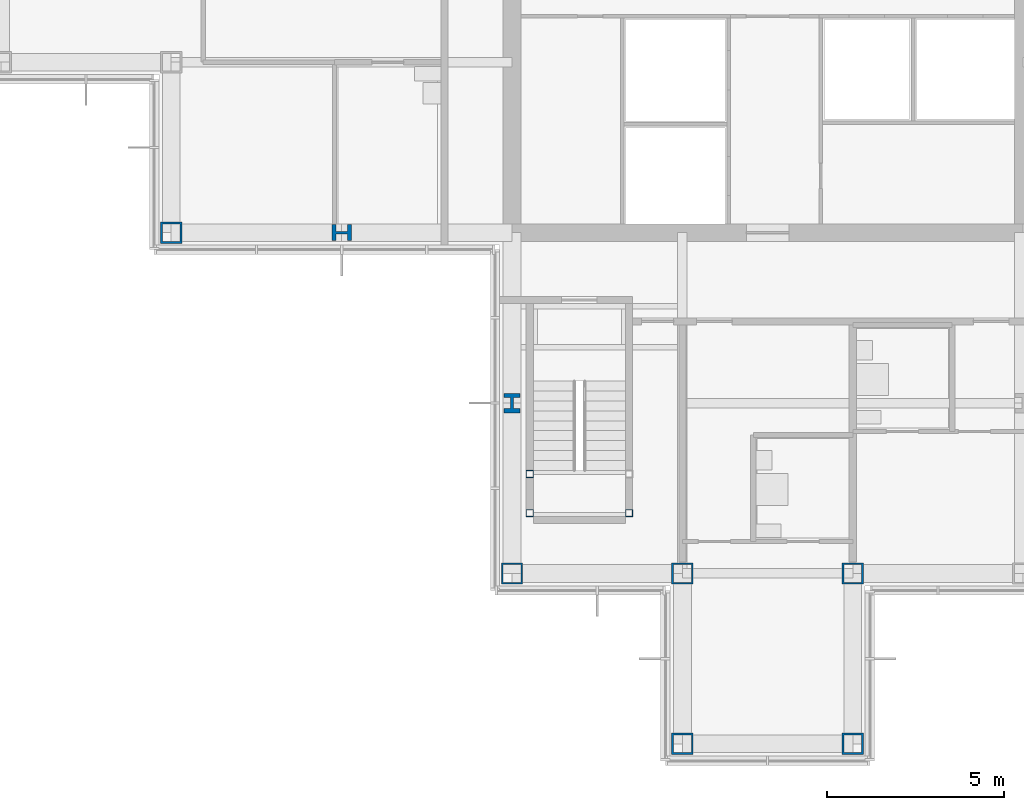
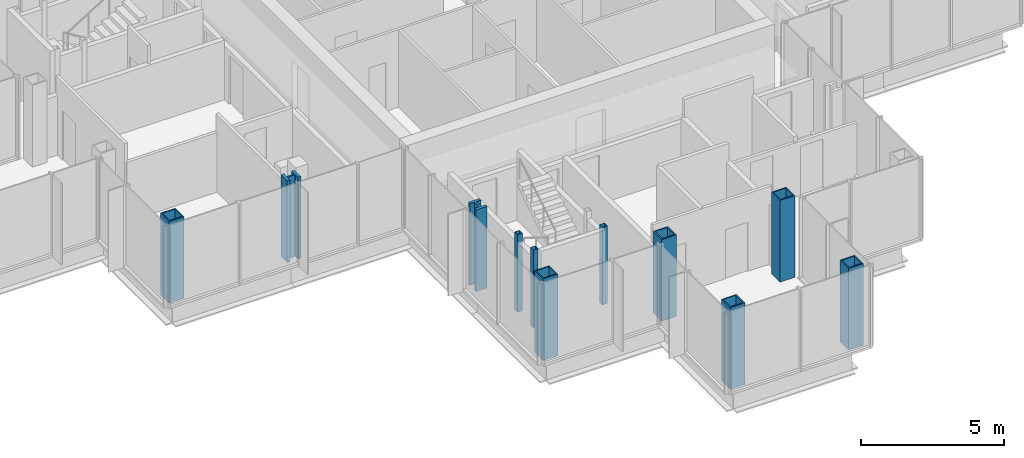
# One storey, part 1 of 15: 11 columns.
"""IFC4 building model written with IfcOpenShell, lengths in metres."""

from ifc_helpers import new_model, si_unit, direction, frame, origin, origin_2d, place, context, subcontext, project, spatial, hollow_rectangle, i_section, extrude, material, material_profile, profile_set, type_object, element, save


model = new_model("IFC4")

# Units and contexts
model_context = context("Model", 3, precision=1e-05, world=origin(), true_north=direction((0.0, 1.0)))
body_context = subcontext(model_context, "Body", "Model", "MODEL_VIEW")
ifc_project = project(units=[si_unit("LENGTHUNIT", "METRE"), si_unit("AREAUNIT", "SQUARE_METRE"), si_unit("VOLUMEUNIT", "CUBIC_METRE"), si_unit("PLANEANGLEUNIT", "RADIAN"), si_unit("MASSUNIT", "GRAM", prefix="KILO")], contexts=[model_context])

# Site, building, storey
site_placement = place(None, origin())
site = spatial("IfcSite", under=ifc_project, at=site_placement, CompositionType="ELEMENT")
building_placement = place(site_placement, origin())
building = spatial("IfcBuilding", under=site, at=building_placement, Name="Kvirike Care Tower", CompositionType="ELEMENT")
storey_placement = place(building_placement, frame((0.0, 0.0, 236.5)))
storey = spatial("IfcBuildingStorey", under=building, at=storey_placement, Name="L65", CompositionType="ELEMENT", Elevation=236.5)

# Columns
ifc_material_1 = material(Name="Steel S460", Category="steel")
ifc_material_profile_1 = material_profile(ifc_material_1, hollow_rectangle(XDim=0.60009765625, YDim=0.60009765625, WallThickness=0.050048828125, at=origin_2d()), Name="BX 600x600x50")
ifc_profile_set_1 = profile_set([ifc_material_profile_1], Name="Steel S460")
column_type_1 = type_object("IfcColumnType", Name="COLUMN BX 600x600x50", PredefinedType="COLUMN", material=ifc_profile_set_1)
for number, where, z_axis, x_axis, name in (
    (1, (4.800048828125, 28.800048828125, 0.0), (0.0, 0.0, 1.0), (0.0, 1.0, 0.0), "Column G4 L65"),
    (2, (14.39990234375, 19.199951171875, 0.0), (0.0, 0.0, 1.0), (0.0, 1.0, 0.0), "Column E6 L65"),
    (3, (19.199951171875, 14.39990234375, 0.0), (0.0, 0.0, 1.0), (0.0, 1.0, 0.0), "Column D7 L65"),
    (4, (19.199951171875, 19.199951171875, 0.0), (0.0, 0.0, 1.0), (0.0, 1.0, 0.0), "Column E7 L65"),
    (5, (24.0, 14.39990234375, 0.0), (0.0, 0.0, 1.0), (0.0, 1.0, 0.0), "Column D8 L65"),
    (6, (24.0, 19.199951171875, 0.0), (0.0, 0.0, 1.0), (0.0, 1.0, 0.0), "Column E8 L65"),
):
    element("IfcColumn", number, at=place(storey_placement, frame(where, z_axis=z_axis, x_axis=x_axis)), inside=storey, type_object=column_type_1, Name=name, PredefinedType="COLUMN", context=body_context, shape_type="SweptSolid", body=[
        extrude(hollow_rectangle(XDim=0.60009765625, YDim=0.60009765625, WallThickness=0.050048828125, at=origin_2d()), origin(), (0.0, 0.0, 1.0), 3.5),
    ])
ifc_material_2 = material(Name="Steel S460", Category="steel")
ifc_material_profile_2 = material_profile(ifc_material_2, i_section(OverallWidth=0.447998046875, OverallDepth=0.550048828125, WebThickness=0.072021484375, FlangeThickness=0.114990234375, FilletRadius=0.014892578125, at=origin_2d()), Name="HD 400x990")
ifc_profile_set_2 = profile_set([ifc_material_profile_2], Name="Steel S460")
column_type_2 = type_object("IfcColumnType", Name="COLUMN HD 400x990", PredefinedType="COLUMN", material=ifc_profile_set_2)
for number, where, z_axis, x_axis, name in (
    (7, (9.60009765625, 28.800048828125, 0.0), (0.0, 0.0, 1.0), (0.0, 1.0, 0.0), "Column G5 L65"),
    (8, (14.39990234375, 24.0, 0.0), (0.0, 0.0, 1.0), (1.0, 0.0, 0.0), "Column F6 L65"),
):
    element("IfcColumn", number, at=place(storey_placement, frame(where, z_axis=z_axis, x_axis=x_axis)), inside=storey, type_object=column_type_2, Name=name, PredefinedType="COLUMN", context=body_context, shape_type="SweptSolid", body=[
        extrude(i_section(OverallWidth=0.447998046875, OverallDepth=0.550048828125, WebThickness=0.072021484375, FlangeThickness=0.114990234375, FilletRadius=0.014892578125, at=origin_2d()), origin(), (0.0, 0.0, 1.0), 3.5),
    ])
ifc_material_3 = material(Name="Steel S460", Category="steel")
ifc_material_profile_3 = material_profile(ifc_material_3, hollow_rectangle(XDim=0.199951171875, YDim=0.199951171875, WallThickness=0.008056640625, at=origin_2d()), Name="SHS 200x200x8")
ifc_profile_set_3 = profile_set([ifc_material_profile_3], Name="Steel S460")
column_type_3 = type_object("IfcColumnType", Name="STAIR POST SHS 200x200x8", PredefinedType="COLUMN", material=ifc_profile_set_3)
for number, where, z_axis, x_axis, name in (
    (9, (14.89990234375, 20.89990234375, 0.0), (0.0, 0.0, 1.0), (1.0, 0.0, 0.0), "Stair 5 post 1 L65"),
    (10, (17.699951171875, 20.89990234375, 0.0), (0.0, 0.0, 1.0), (1.0, 0.0, 0.0), "Stair 5 post 2 L65"),
    (11, (14.89990234375, 22.0, 0.0), (0.0, 0.0, 1.0), (1.0, 0.0, 0.0), "Stair 5 post 3 L65"),
):
    element("IfcColumn", number, at=place(storey_placement, frame(where, z_axis=z_axis, x_axis=x_axis)), inside=storey, type_object=column_type_3, Name=name, PredefinedType="COLUMN", context=body_context, shape_type="SweptSolid", body=[
        extrude(hollow_rectangle(XDim=0.199951171875, YDim=0.199951171875, WallThickness=0.008056640625, at=origin_2d()), origin(), (0.0, 0.0, 1.0), 3.330078125),
    ])

save(model, "model.ifc")
